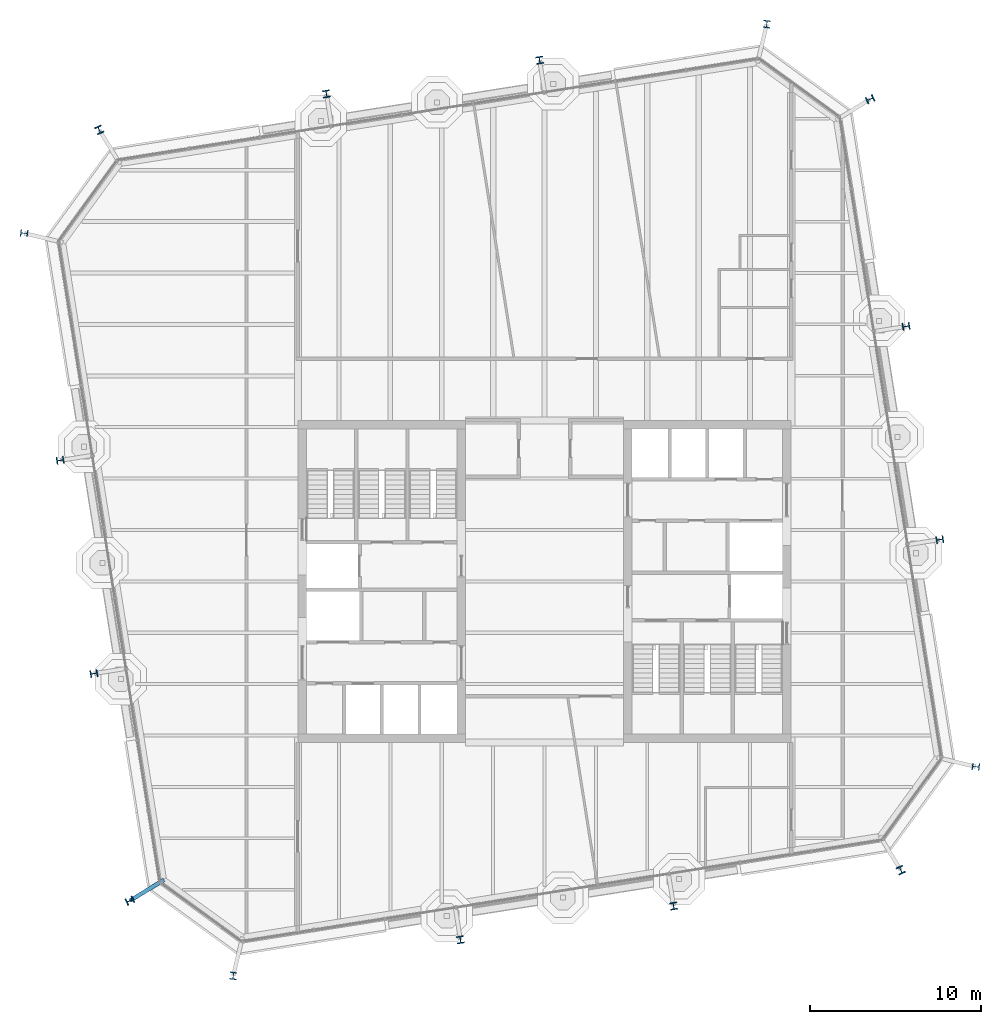
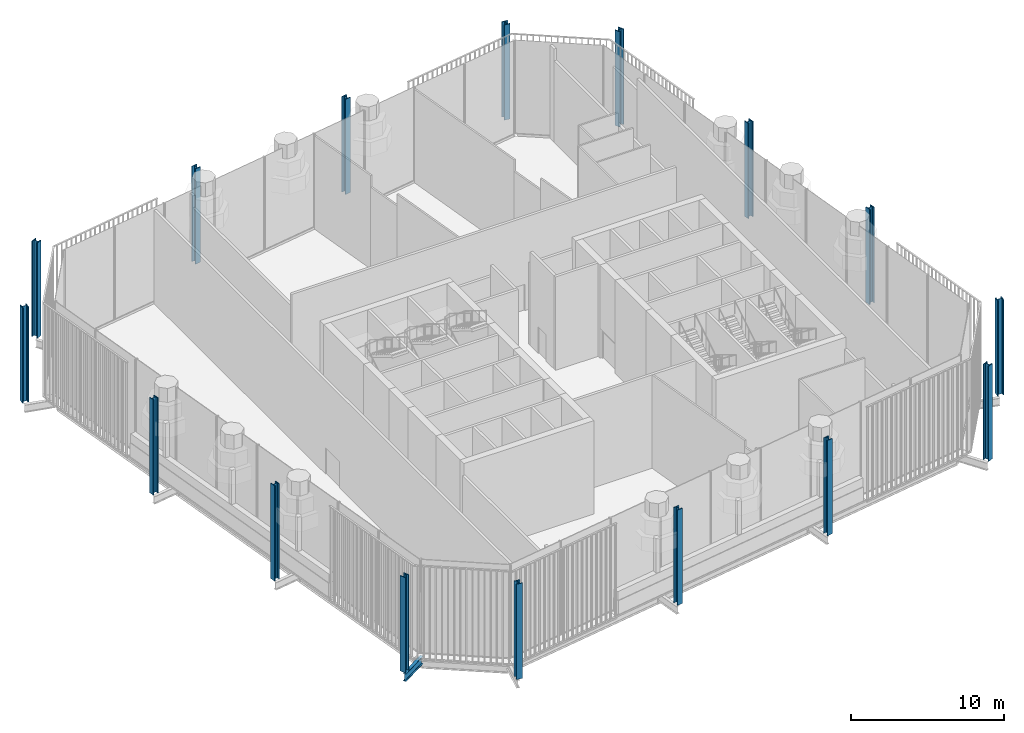
# One storey, part 1 of 17: 16 columns, 1 beam.
"""IFC4 building model written with IfcOpenShell, lengths in metres."""

from ifc_helpers import new_model, si_unit, direction, frame, origin, origin_2d, place, context, subcontext, project, spatial, i_section, extrude, material, material_profile, profile_set, type_object, element, save


model = new_model("IFC4")

# Units and contexts
model_context = context("Model", 3, precision=1e-05, world=origin(), true_north=direction((0.0, 1.0)))
body_context = subcontext(model_context, "Body", "Model", "MODEL_VIEW")
ifc_project = project(units=[si_unit("LENGTHUNIT", "METRE"), si_unit("AREAUNIT", "SQUARE_METRE"), si_unit("VOLUMEUNIT", "CUBIC_METRE"), si_unit("PLANEANGLEUNIT", "RADIAN"), si_unit("MASSUNIT", "GRAM", prefix="KILO")], contexts=[model_context])

# Site, building, storey
site_placement = place(None, origin())
site = spatial("IfcSite", under=ifc_project, at=site_placement, CompositionType="ELEMENT")
building_placement = place(site_placement, origin())
building = spatial("IfcBuilding", under=site, at=building_placement, Name="Millrace Tower", CompositionType="ELEMENT")
storey_placement = place(building_placement, frame((0.0, 0.0, 239.800048828125)))
storey = spatial("IfcBuildingStorey", under=building, at=storey_placement, Name="L55", CompositionType="ELEMENT", Elevation=239.800048828125)

# Columns
ifc_material_1 = material(Name="Steel ASTM A913 Grade 65", Category="steel")
ifc_material_profile_1 = material_profile(ifc_material_1, i_section(OverallWidth=0.408935546875, OverallDepth=0.424072265625, WebThickness=0.03271484375, FlangeThickness=0.052490234375, FilletRadius=0.01513671875, at=origin_2d()))
ifc_profile_set_1 = profile_set([ifc_material_profile_1], Name="Steel ASTM A913 Grade 65")
column_type_1 = type_object("IfcColumnType", Name="Exoskeleton column W14x283", PredefinedType="COLUMN", material=ifc_profile_set_1)
for number, where, z_axis, x_axis, name in (
    (1, (-4.91162109375, -20.927734375, 0.0), (0.0, 0.0, 1.0), (0.987688341035, 0.156434462265, 0.0), "COL-D-L55-X03"),
    (2, (7.533203125, -18.956787109375, 0.0), (0.0, 0.0, 1.0), (0.987688341035, 0.156434462265, 0.0), "COL-D-L55-X04"),
    (3, (23.07763671875, 2.4384765625, 0.0), (0.0, 0.0, 1.0), (-0.156434462265, 0.987688341035, 0.0), "COL-D-L55-X07"),
    (4, (21.106689453125, 14.88330078125, 0.0), (0.0, 0.0, 1.0), (-0.156434462265, 0.987688341035, 0.0), "COL-D-L55-X08"),
    (5, (-0.288330078125, 30.427734375, 0.0), (0.0, 0.0, 1.0), (-0.987688341035, -0.156434462265, 0.0), "COL-D-L55-X11"),
    (6, (-12.7333984375, 28.456787109375, 0.0), (0.0, 0.0, 1.0), (-0.987688341035, -0.156434462265, 0.0), "COL-D-L55-X12"),
    (7, (-28.27783203125, 7.0615234375, 0.0), (0.0, 0.0, 1.0), (0.156434462265, -0.987688341035, 0.0), "COL-D-L55-X15"),
    (8, (-26.306640625, -5.38330078125, 0.0), (0.0, 0.0, 1.0), (0.156434462265, -0.987688341035, 0.0), "COL-D-L55-X16"),
):
    element("IfcColumn", number, at=place(storey_placement, frame(where, z_axis=z_axis, x_axis=x_axis)), inside=storey, type_object=column_type_1, Name=name, PredefinedType="COLUMN", context=body_context, shape_type="SweptSolid", body=[
        extrude(i_section(OverallWidth=0.408935546875, OverallDepth=0.424072265625, WebThickness=0.03271484375, FlangeThickness=0.052490234375, FilletRadius=0.01513671875, at=origin_2d()), origin(), (0.0, 0.0, 1.0), 7.599853515625),
    ])
ifc_material_2 = material(Name="Steel ASTM A913 Grade 65", Category="steel")
ifc_material_profile_2 = material_profile(ifc_material_2, i_section(OverallWidth=0.41650390625, OverallDepth=0.444580078125, WebThickness=0.0390625, FlangeThickness=0.062744140625, FilletRadius=0.01513671875, at=origin_2d()))
ifc_profile_set_2 = profile_set([ifc_material_profile_2], Name="Steel ASTM A913 Grade 65")
column_type_2 = type_object("IfcColumnType", Name="Exoskeleton column W14x342", PredefinedType="COLUMN", material=ifc_profile_set_2)
for number, where, z_axis, x_axis, name in (
    (9, (-24.2060546875, -18.646484375, 0.0), (0.0, 0.0, 1.0), (0.418552981224, -0.908192381552, 0.0), "COL-D-L55-X01"),
    (10, (-18.174560546875, -23.0283203125, 0.0), (0.0, 0.0, 1.0), (0.993082267365, -0.117420655103, 0.0), "COL-D-L55-X02"),
    (11, (20.79638671875, -16.85595703125, 0.0), (0.0, 0.0, 1.0), (0.908192381552, 0.418552981224, 0.0), "COL-D-L55-X05"),
    (12, (25.178466796875, -10.82470703125, 0.0), (0.0, 0.0, 1.0), (0.117420655103, 0.993082267365, 0.0), "COL-D-L55-X06"),
    (13, (19.006103515625, 28.146484375, 0.0), (0.0, 0.0, 1.0), (-0.418552981224, 0.908192381552, 0.0), "COL-D-L55-X09"),
    (14, (12.974609375, 32.5283203125, 0.0), (0.0, 0.0, 1.0), (-0.993082267365, 0.117420655103, 0.0), "COL-D-L55-X10"),
    (15, (-25.996337890625, 26.35595703125, 0.0), (0.0, 0.0, 1.0), (-0.908192381552, -0.418552981224, 0.0), "COL-D-L55-X13"),
    (16, (-30.37841796875, 20.32470703125, 0.0), (0.0, 0.0, 1.0), (-0.117420655103, -0.993082267365, 0.0), "COL-D-L55-X14"),
):
    element("IfcColumn", number, at=place(storey_placement, frame(where, z_axis=z_axis, x_axis=x_axis)), inside=storey, type_object=column_type_2, Name=name, PredefinedType="COLUMN", context=body_context, shape_type="SweptSolid", body=[
        extrude(i_section(OverallWidth=0.41650390625, OverallDepth=0.444580078125, WebThickness=0.0390625, FlangeThickness=0.062744140625, FilletRadius=0.01513671875, at=origin_2d()), origin(), (0.0, 0.0, 1.0), 7.599853515625),
    ])

# Beam
ifc_material_3 = material(Name="Steel ASTM A992 Grade 50", Category="steel")
ifc_material_profile_3 = material_profile(ifc_material_3, i_section(OverallWidth=0.23046875, OverallDepth=0.6171875, WebThickness=0.01318359375, FlangeThickness=0.022216796875, FilletRadius=0.012939453125, at=origin_2d()))
ifc_profile_set_3 = profile_set([ifc_material_profile_3], Name="Steel ASTM A992 Grade 50")
beam_type = type_object("IfcBeamType", Name="Link beam W24x94", PredefinedType="BEAM", material=ifc_profile_set_3)
beam_placement = place(storey_placement, frame((-22.218505859375, -17.428466796875, -0.55859375), z_axis=(-0.852631355792, -0.522512938711, 0.0), x_axis=(0.522512938711, -0.852631355792, 0.0)))
element("IfcBeam", 17, at=beam_placement, inside=storey, type_object=beam_type, Name="LNK-D-L55-S1-01", PredefinedType="BEAM", context=body_context, shape_type="SweptSolid", body=[
    extrude(i_section(OverallWidth=0.23046875, OverallDepth=0.6171875, WebThickness=0.01318359375, FlangeThickness=0.022216796875, FilletRadius=0.012939453125, at=origin_2d()), origin(), (0.0, 0.0, 1.0), 2.3310546875),
])

save(model, "model.ifc")
